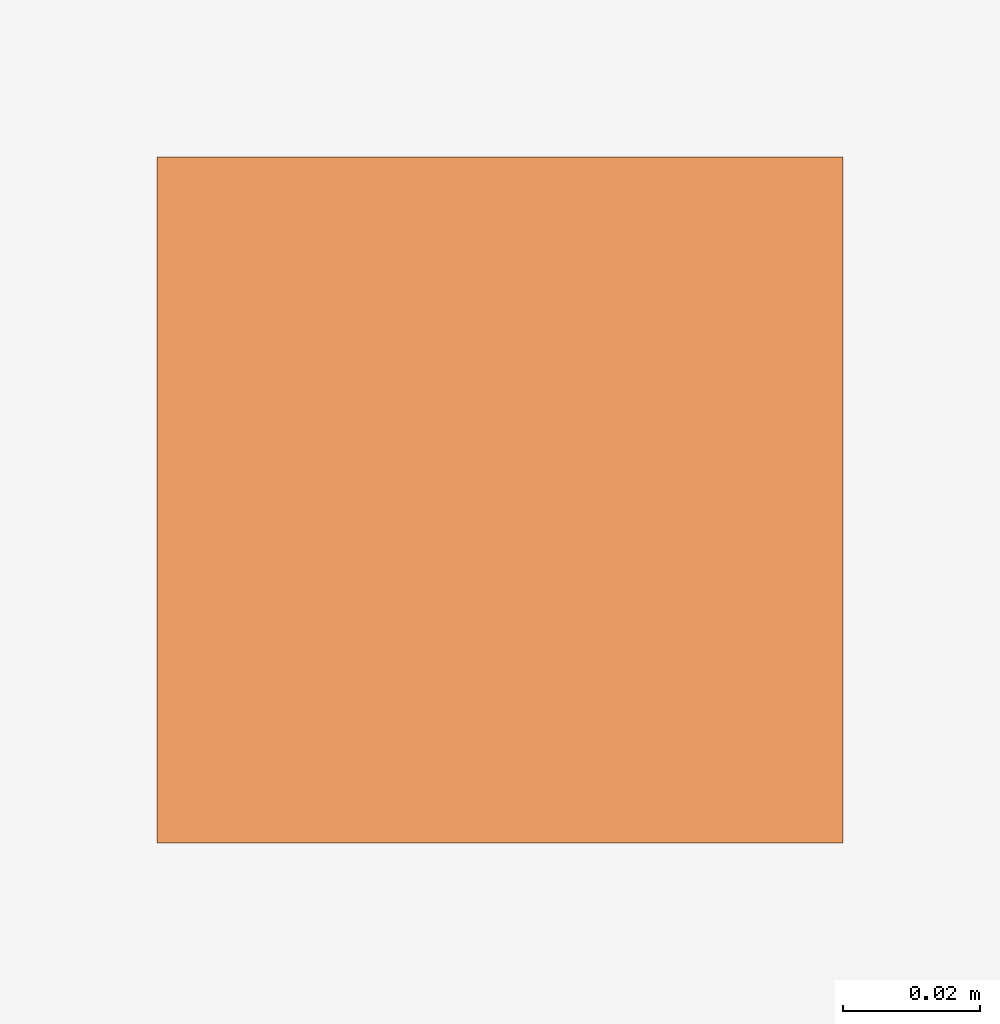
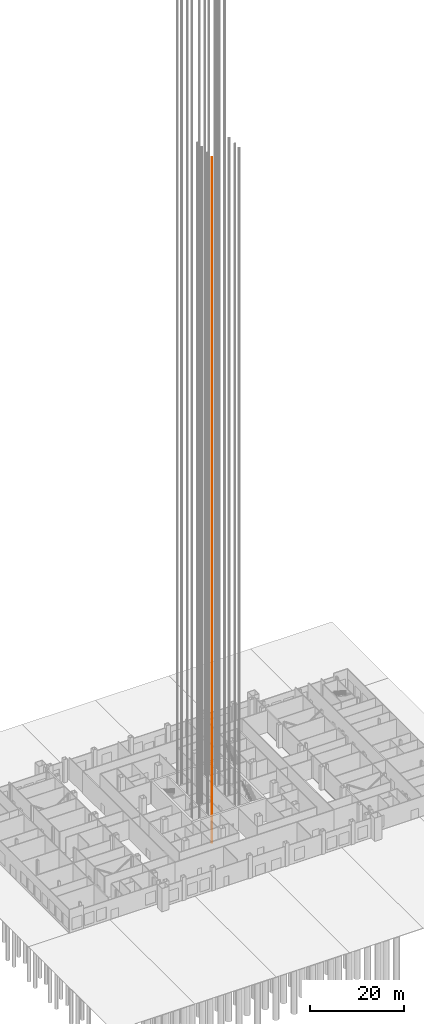
# One storey, part 19 of 36: 1 proxy.
"""IFC4 building model written with IfcOpenShell, lengths in metres."""

from ifc_helpers import new_model, si_unit, direction, frame, origin, origin_2d, place, context, subcontext, project, spatial, rectangle, extrude, material, type_object, element, save


model = new_model("IFC4")

# Units and contexts
model_context = context("Model", 3, precision=1e-05, world=origin(), true_north=direction((0.0, 1.0)))
body_context = subcontext(model_context, "Body", "Model", "MODEL_VIEW")
ifc_project = project(units=[si_unit("LENGTHUNIT", "METRE"), si_unit("AREAUNIT", "SQUARE_METRE"), si_unit("VOLUMEUNIT", "CUBIC_METRE"), si_unit("PLANEANGLEUNIT", "RADIAN"), si_unit("MASSUNIT", "GRAM", prefix="KILO")], contexts=[model_context])

# Site, building, storey
site_placement = place(None, origin())
site = spatial("IfcSite", under=ifc_project, at=site_placement, CompositionType="ELEMENT")
building_placement = place(site_placement, origin())
building = spatial("IfcBuilding", under=site, at=building_placement, Name="Malebo Sky Hospital", CompositionType="ELEMENT")
storey_placement = place(building_placement, origin())
storey = spatial("IfcBuildingStorey", under=building, at=storey_placement, Name="L00", CompositionType="ELEMENT", Elevation=0.0)

# Proxy
ifc_material = material(Name="Steel S355", Category="steel")
building_element_proxy_type = type_object("IfcBuildingElementProxyType", Name="LIFT GUIDE RAIL 100", PredefinedType="USERDEFINED", material=ifc_material)
proxy_placement = place(storey_placement, frame((56.64990234375, 54.675048828125, 0.0)))
element("IfcBuildingElementProxy", 1, at=proxy_placement, inside=storey, type_object=building_element_proxy_type, Name="Lift W1 guide rail 1", ObjectType="LIFT GUIDE RAIL", PredefinedType="USERDEFINED", context=body_context, shape_type="SweptSolid", body=[
    extrude(rectangle(XDim=0.10009765625, YDim=0.10009765625, at=origin_2d()), frame((0.0, 0.0, -2.25)), (0.0, 0.0, 1.0), 177.75),
])

save(model, "model.ifc")
